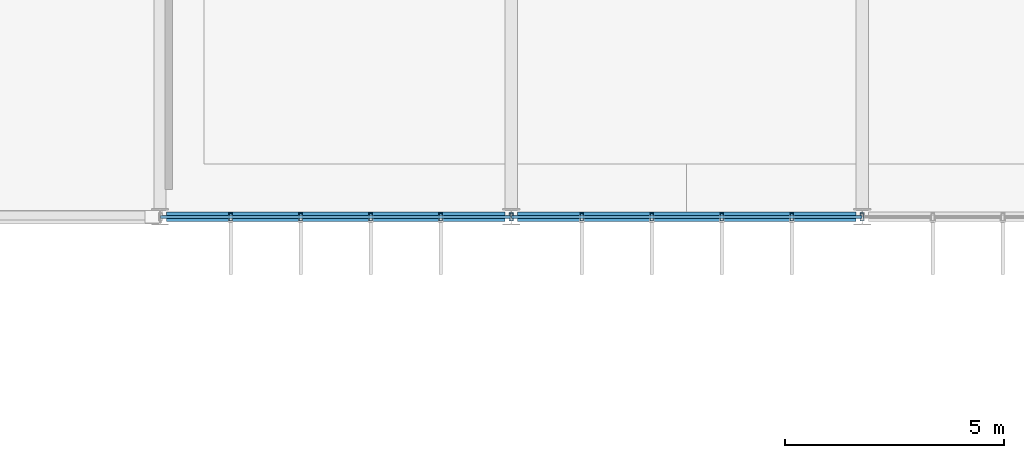
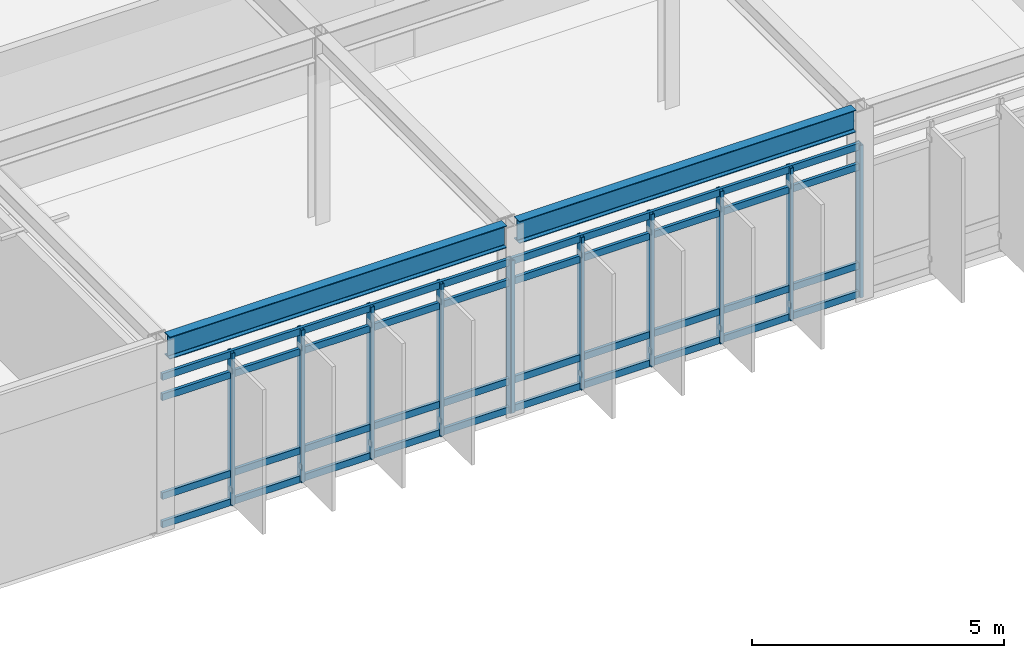
# One storey, part 37 of 100: 19 members, 2 beams, 2 elements without a shape of their own.
"""IFC4 building model written with IfcOpenShell, lengths in metres."""

from ifc_helpers import new_model, si_unit, direction, frame, origin, origin_2d, place, context, subcontext, project, spatial, hollow_rectangle, i_section, extrude, material, material_profile, profile_set, type_object, element, aggregate, save


model = new_model("IFC4")

# Units and contexts
model_context = context("Model", 3, precision=1e-05, world=origin(), true_north=direction((0.0, 1.0)))
body_context = subcontext(model_context, "Body", "Model", "MODEL_VIEW")
ifc_project = project(units=[si_unit("LENGTHUNIT", "METRE"), si_unit("AREAUNIT", "SQUARE_METRE"), si_unit("VOLUMEUNIT", "CUBIC_METRE"), si_unit("PLANEANGLEUNIT", "RADIAN"), si_unit("MASSUNIT", "GRAM", prefix="KILO")], contexts=[model_context])

# Site, building, storey
site_placement = place(None, origin())
site = spatial("IfcSite", under=ifc_project, at=site_placement, CompositionType="ELEMENT")
building_placement = place(site_placement, origin())
building = spatial("IfcBuilding", under=site, at=building_placement, Name="Zulena Civic Courthouse", CompositionType="ELEMENT")
storey_placement = place(building_placement, frame((0.0, 0.0, 20.39990234375)))
storey = spatial("IfcBuildingStorey", under=building, at=storey_placement, Name="L04", CompositionType="ELEMENT", Elevation=20.39990234375)

# Curtain wall, members
ifc_material_1 = material(Name="Double-silver low-E laminated solar-control glass", Category="glass")
curtain_wall_type = type_object("IfcCurtainWallType", Name="CW_7976x3690", PredefinedType="USERDEFINED", material=ifc_material_1)
curtain_wall_1_placement = place(storey_placement, origin())
curtain_wall_1 = element("IfcCurtainWall", 1, at=curtain_wall_1_placement, inside=storey, type_object=curtain_wall_type, Name="cw:V4:L04:3:3", ObjectType="UNITISED CURTAIN WALL", PredefinedType="USERDEFINED")
ifc_material_2 = material(Name="Bronze anodised thermally broken aluminium AA6063-T6", Category="aluminium")
ifc_material_profile_1 = material_profile(ifc_material_2, hollow_rectangle(XDim=0.074951171875, YDim=0.179931640625, WallThickness=0.0048828125, at=origin_2d()), Name="CWM180X75X5")
ifc_profile_set_1 = profile_set([ifc_material_profile_1], Name="Bronze anodised thermally broken aluminium AA6063-T6")
member_type_1 = type_object("IfcMemberType", Name="CWMullion_180x75", PredefinedType="MULLION", material=ifc_profile_set_1)
member_1_placement = place(storey_placement, frame((99.988037109375, 15.199951171875, 0.0), z_axis=(0.0, 0.0, 1.0), x_axis=(1.0, 0.0, 0.0)))
member_1 = element("IfcMember", 2, at=member_1_placement, type_object=member_type_1, Name="cw:V4:L04:3:3:mull:0", PredefinedType="MULLION", context=body_context, shape_type="SweptSolid", body=[
    extrude(hollow_rectangle(XDim=0.074951171875, YDim=0.179931640625, WallThickness=0.0048828125, at=origin_2d()), origin(), (0.0, 0.0, 1.0), 3.690185546875),
])
member_2_placement = place(storey_placement, frame((98.392822265625, 15.199951171875, 0.0), z_axis=(0.0, 0.0, 1.0), x_axis=(1.0, 0.0, 0.0)))
member_2 = element("IfcMember", 3, at=member_2_placement, type_object=member_type_1, Name="cw:V4:L04:3:3:mull:1", PredefinedType="MULLION", context=body_context, shape_type="SweptSolid", body=[
    extrude(hollow_rectangle(XDim=0.074951171875, YDim=0.179931640625, WallThickness=0.0048828125, at=origin_2d()), origin(), (0.0, 0.0, 1.0), 3.690185546875),
])
member_3_placement = place(storey_placement, frame((96.797607421875, 15.199951171875, 0.0), z_axis=(0.0, 0.0, 1.0), x_axis=(1.0, 0.0, 0.0)))
member_3 = element("IfcMember", 4, at=member_3_placement, type_object=member_type_1, Name="cw:V4:L04:3:3:mull:2", PredefinedType="MULLION", context=body_context, shape_type="SweptSolid", body=[
    extrude(hollow_rectangle(XDim=0.074951171875, YDim=0.179931640625, WallThickness=0.0048828125, at=origin_2d()), origin(), (0.0, 0.0, 1.0), 3.690185546875),
])
member_4_placement = place(storey_placement, frame((95.202392578125, 15.199951171875, 0.0), z_axis=(0.0, 0.0, 1.0), x_axis=(1.0, 0.0, 0.0)))
member_4 = element("IfcMember", 5, at=member_4_placement, type_object=member_type_1, Name="cw:V4:L04:3:3:mull:3", PredefinedType="MULLION", context=body_context, shape_type="SweptSolid", body=[
    extrude(hollow_rectangle(XDim=0.074951171875, YDim=0.179931640625, WallThickness=0.0048828125, at=origin_2d()), origin(), (0.0, 0.0, 1.0), 3.690185546875),
])
member_5_placement = place(storey_placement, frame((93.607177734375, 15.199951171875, 0.0), z_axis=(0.0, 0.0, 1.0), x_axis=(1.0, 0.0, 0.0)))
member_5 = element("IfcMember", 6, at=member_5_placement, type_object=member_type_1, Name="cw:V4:L04:3:3:mull:4", PredefinedType="MULLION", context=body_context, shape_type="SweptSolid", body=[
    extrude(hollow_rectangle(XDim=0.074951171875, YDim=0.179931640625, WallThickness=0.0048828125, at=origin_2d()), origin(), (0.0, 0.0, 1.0), 3.690185546875),
])
member_6_placement = place(storey_placement, frame((92.011962890625, 15.199951171875, 0.0), z_axis=(0.0, 0.0, 1.0), x_axis=(1.0, 0.0, 0.0)))
member_6 = element("IfcMember", 7, at=member_6_placement, type_object=member_type_1, Name="cw:V4:L04:3:3:mull:5", PredefinedType="MULLION", context=body_context, shape_type="SweptSolid", body=[
    extrude(hollow_rectangle(XDim=0.074951171875, YDim=0.179931640625, WallThickness=0.0048828125, at=origin_2d()), origin(), (0.0, 0.0, 1.0), 3.690185546875),
])

curtain_wall_2_placement = place(storey_placement, origin())
curtain_wall_2 = element("IfcCurtainWall", 8, at=curtain_wall_2_placement, inside=storey, type_object=curtain_wall_type, Name="cw:V4:L04:3:4", ObjectType="UNITISED CURTAIN WALL", PredefinedType="USERDEFINED")
member_7_placement = place(storey_placement, frame((91.988037109375, 15.199951171875, 0.0), z_axis=(0.0, 0.0, 1.0), x_axis=(1.0, 0.0, 0.0)))
member_7 = element("IfcMember", 9, at=member_7_placement, type_object=member_type_1, Name="cw:V4:L04:3:4:mull:0", PredefinedType="MULLION", context=body_context, shape_type="SweptSolid", body=[
    extrude(hollow_rectangle(XDim=0.074951171875, YDim=0.179931640625, WallThickness=0.0048828125, at=origin_2d()), origin(), (0.0, 0.0, 1.0), 3.690185546875),
])
member_8_placement = place(storey_placement, frame((90.392822265625, 15.199951171875, 0.0), z_axis=(0.0, 0.0, 1.0), x_axis=(1.0, 0.0, 0.0)))
member_8 = element("IfcMember", 10, at=member_8_placement, type_object=member_type_1, Name="cw:V4:L04:3:4:mull:1", PredefinedType="MULLION", context=body_context, shape_type="SweptSolid", body=[
    extrude(hollow_rectangle(XDim=0.074951171875, YDim=0.179931640625, WallThickness=0.0048828125, at=origin_2d()), origin(), (0.0, 0.0, 1.0), 3.690185546875),
])
member_9_placement = place(storey_placement, frame((88.797607421875, 15.199951171875, 0.0), z_axis=(0.0, 0.0, 1.0), x_axis=(1.0, 0.0, 0.0)))
member_9 = element("IfcMember", 11, at=member_9_placement, type_object=member_type_1, Name="cw:V4:L04:3:4:mull:2", PredefinedType="MULLION", context=body_context, shape_type="SweptSolid", body=[
    extrude(hollow_rectangle(XDim=0.074951171875, YDim=0.179931640625, WallThickness=0.0048828125, at=origin_2d()), origin(), (0.0, 0.0, 1.0), 3.690185546875),
])
member_10_placement = place(storey_placement, frame((87.202392578125, 15.199951171875, 0.0), z_axis=(0.0, 0.0, 1.0), x_axis=(1.0, 0.0, 0.0)))
member_10 = element("IfcMember", 12, at=member_10_placement, type_object=member_type_1, Name="cw:V4:L04:3:4:mull:3", PredefinedType="MULLION", context=body_context, shape_type="SweptSolid", body=[
    extrude(hollow_rectangle(XDim=0.074951171875, YDim=0.179931640625, WallThickness=0.0048828125, at=origin_2d()), origin(), (0.0, 0.0, 1.0), 3.690185546875),
])
member_11_placement = place(storey_placement, frame((85.607177734375, 15.199951171875, 0.0), z_axis=(0.0, 0.0, 1.0), x_axis=(1.0, 0.0, 0.0)))
member_11 = element("IfcMember", 13, at=member_11_placement, type_object=member_type_1, Name="cw:V4:L04:3:4:mull:4", PredefinedType="MULLION", context=body_context, shape_type="SweptSolid", body=[
    extrude(hollow_rectangle(XDim=0.074951171875, YDim=0.179931640625, WallThickness=0.0048828125, at=origin_2d()), origin(), (0.0, 0.0, 1.0), 3.690185546875),
])

# Member
ifc_material_profile_2 = material_profile(ifc_material_2, hollow_rectangle(XDim=0.070068359375, YDim=0.1650390625, WallThickness=0.00390625, at=origin_2d()), Name="CWT165X70X4")
ifc_profile_set_2 = profile_set([ifc_material_profile_2], Name="Bronze anodised thermally broken aluminium AA6063-T6")
member_type_2 = type_object("IfcMemberType", Name="CWTransom_165x70", PredefinedType="USERDEFINED", material=ifc_profile_set_2)
member_12_placement = place(storey_placement, frame((99.988037109375, 15.199951171875, 0.06005859375), z_axis=(-1.0, 0.0, 0.0), x_axis=(0.0, -1.0, 0.0)))
member_12 = element("IfcMember", 14, at=member_12_placement, type_object=member_type_2, Name="cw:V4:L04:3:3:tran:0", ObjectType="TRANSOM", PredefinedType="USERDEFINED", context=body_context, shape_type="SweptSolid", body=[
    extrude(hollow_rectangle(XDim=0.070068359375, YDim=0.1650390625, WallThickness=0.00390625, at=origin_2d()), origin(), (0.0, 0.0, 1.0), 7.97607421875),
])

member_13_placement = place(storey_placement, frame((99.988037109375, 15.199951171875, 0.75), z_axis=(-1.0, 0.0, 0.0), x_axis=(0.0, -1.0, 0.0)))
member_13 = element("IfcMember", 15, at=member_13_placement, type_object=member_type_2, Name="cw:V4:L04:3:3:tran:1", ObjectType="TRANSOM", PredefinedType="USERDEFINED", context=body_context, shape_type="SweptSolid", body=[
    extrude(hollow_rectangle(XDim=0.070068359375, YDim=0.1650390625, WallThickness=0.00390625, at=origin_2d()), origin(), (0.0, 0.0, 1.0), 7.97607421875),
])

member_14_placement = place(storey_placement, frame((99.988037109375, 15.199951171875, 3.14013671875), z_axis=(-1.0, 0.0, 0.0), x_axis=(0.0, -1.0, 0.0)))
member_14 = element("IfcMember", 16, at=member_14_placement, type_object=member_type_2, Name="cw:V4:L04:3:3:tran:2", ObjectType="TRANSOM", PredefinedType="USERDEFINED", context=body_context, shape_type="SweptSolid", body=[
    extrude(hollow_rectangle(XDim=0.070068359375, YDim=0.1650390625, WallThickness=0.00390625, at=origin_2d()), origin(), (0.0, 0.0, 1.0), 7.97607421875),
])

member_15_placement = place(storey_placement, frame((99.988037109375, 15.199951171875, 3.630126953125), z_axis=(-1.0, 0.0, 0.0), x_axis=(0.0, -1.0, 0.0)))
member_15 = element("IfcMember", 17, at=member_15_placement, type_object=member_type_2, Name="cw:V4:L04:3:3:tran:3", ObjectType="TRANSOM", PredefinedType="USERDEFINED", context=body_context, shape_type="SweptSolid", body=[
    extrude(hollow_rectangle(XDim=0.070068359375, YDim=0.1650390625, WallThickness=0.00390625, at=origin_2d()), origin(), (0.0, 0.0, 1.0), 7.97607421875),
])

aggregate(curtain_wall_1, [member_1, member_2, member_3, member_4, member_5, member_6, member_12, member_13, member_14, member_15])

member_16_placement = place(storey_placement, frame((91.988037109375, 15.199951171875, 0.06005859375), z_axis=(-1.0, 0.0, 0.0), x_axis=(0.0, -1.0, 0.0)))
member_16 = element("IfcMember", 18, at=member_16_placement, type_object=member_type_2, Name="cw:V4:L04:3:4:tran:0", ObjectType="TRANSOM", PredefinedType="USERDEFINED", context=body_context, shape_type="SweptSolid", body=[
    extrude(hollow_rectangle(XDim=0.070068359375, YDim=0.1650390625, WallThickness=0.00390625, at=origin_2d()), origin(), (0.0, 0.0, 1.0), 7.97607421875),
])

member_17_placement = place(storey_placement, frame((91.988037109375, 15.199951171875, 0.75), z_axis=(-1.0, 0.0, 0.0), x_axis=(0.0, -1.0, 0.0)))
member_17 = element("IfcMember", 19, at=member_17_placement, type_object=member_type_2, Name="cw:V4:L04:3:4:tran:1", ObjectType="TRANSOM", PredefinedType="USERDEFINED", context=body_context, shape_type="SweptSolid", body=[
    extrude(hollow_rectangle(XDim=0.070068359375, YDim=0.1650390625, WallThickness=0.00390625, at=origin_2d()), origin(), (0.0, 0.0, 1.0), 7.97607421875),
])

member_18_placement = place(storey_placement, frame((91.988037109375, 15.199951171875, 3.14013671875), z_axis=(-1.0, 0.0, 0.0), x_axis=(0.0, -1.0, 0.0)))
member_18 = element("IfcMember", 20, at=member_18_placement, type_object=member_type_2, Name="cw:V4:L04:3:4:tran:2", ObjectType="TRANSOM", PredefinedType="USERDEFINED", context=body_context, shape_type="SweptSolid", body=[
    extrude(hollow_rectangle(XDim=0.070068359375, YDim=0.1650390625, WallThickness=0.00390625, at=origin_2d()), origin(), (0.0, 0.0, 1.0), 7.97607421875),
])

member_19_placement = place(storey_placement, frame((91.988037109375, 15.199951171875, 3.630126953125), z_axis=(-1.0, 0.0, 0.0), x_axis=(0.0, -1.0, 0.0)))
member_19 = element("IfcMember", 21, at=member_19_placement, type_object=member_type_2, Name="cw:V4:L04:3:4:tran:3", ObjectType="TRANSOM", PredefinedType="USERDEFINED", context=body_context, shape_type="SweptSolid", body=[
    extrude(hollow_rectangle(XDim=0.070068359375, YDim=0.1650390625, WallThickness=0.00390625, at=origin_2d()), origin(), (0.0, 0.0, 1.0), 7.97607421875),
])

aggregate(curtain_wall_2, [member_7, member_8, member_9, member_10, member_11, member_16, member_17, member_18, member_19])

# Beams
ifc_material_3 = material(Name="Steel ASTM A992 Grade 50", Category="steel")
ifc_material_profile_3 = material_profile(ifc_material_3, i_section(OverallWidth=0.2099609375, OverallDepth=0.537109375, WebThickness=0.010986328125, FlangeThickness=0.017333984375, FilletRadius=0.0126953125, at=origin_2d()), Name="W21X68")
ifc_profile_set_3 = profile_set([ifc_material_profile_3], Name="Steel ASTM A992 Grade 50")
beam_type = type_object("IfcBeamType", Name="Spandrel_W21X68", PredefinedType="SPANDREL", material=ifc_profile_set_3)
for number, where, z_axis, x_axis, name in (
    (22, (84.14501953125, 15.199951171875, 4.32666015625), (1.0, 0.0, 0.0), (0.0, 1.0, 0.0), "beam:X:V4:L04:15.2:84.0_92.0"),
    (23, (92.14501953125, 15.199951171875, 4.32666015625), (1.0, 0.0, 0.0), (0.0, 1.0, 0.0), "beam:X:V4:L04:15.2:92.0_100.0"),
):
    element("IfcBeam", number, at=place(storey_placement, frame(where, z_axis=z_axis, x_axis=x_axis)), inside=storey, type_object=beam_type, Name=name, PredefinedType="SPANDREL", context=body_context, shape_type="SweptSolid", body=[
        extrude(i_section(OverallWidth=0.2099609375, OverallDepth=0.537109375, WebThickness=0.010986328125, FlangeThickness=0.017333984375, FilletRadius=0.0126953125, at=origin_2d()), origin(), (0.0, 0.0, 1.0), 7.7099609375),
    ])

save(model, "model.ifc")
